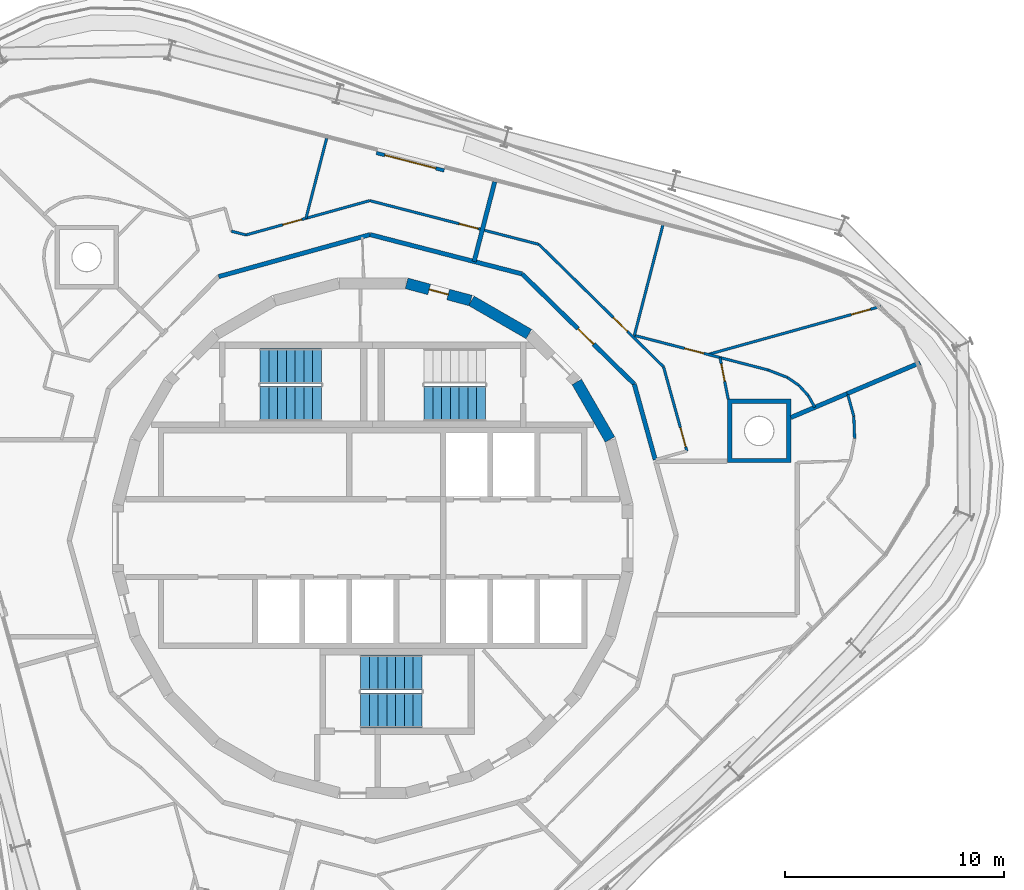
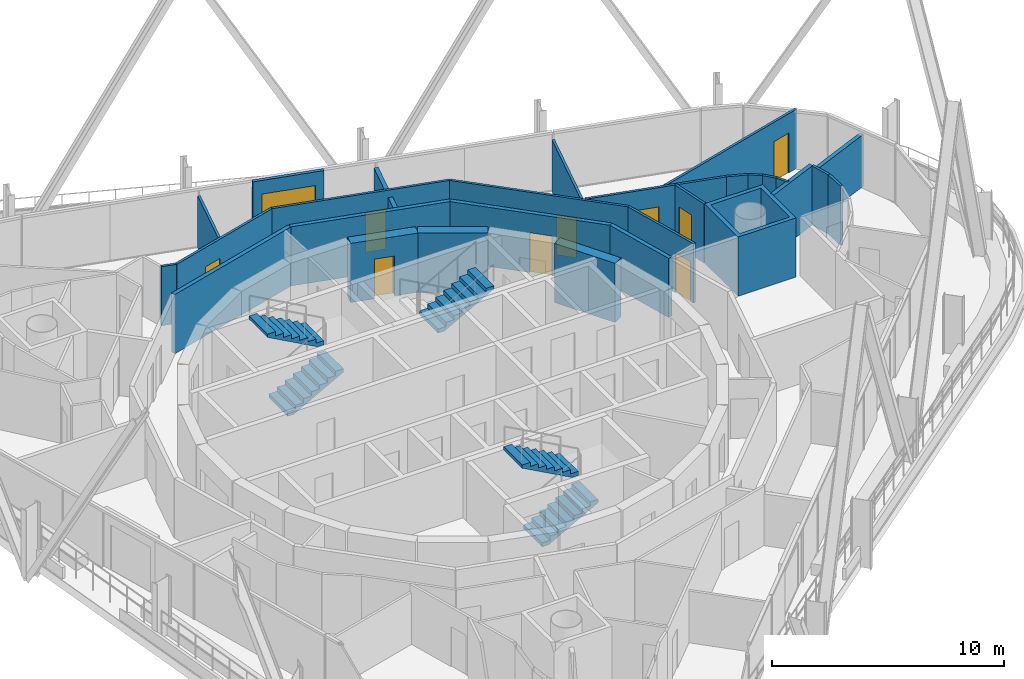
# One storey, part 14 of 18: 28 walls, 10 doors, 5 stair flights, 10 openings, 3 elements without a shape of their own.
"""IFC4 building model written with IfcOpenShell, lengths in metres."""

from ifc_helpers import new_model, si_unit, direction, frame, frame_2d, origin, place, context, subcontext, project, spatial, polyline, rectangle, outline, extrude, material, layer, layer_set, type_object, element, fill, aggregate, save


model = new_model("IFC4")

# Units and contexts
model_context = context("Model", 3, precision=1e-05, world=origin(), true_north=direction((0.0, 1.0)))
body_context = subcontext(model_context, "Body", "Model", "MODEL_VIEW")
ifc_project = project(units=[si_unit("LENGTHUNIT", "METRE"), si_unit("AREAUNIT", "SQUARE_METRE"), si_unit("VOLUMEUNIT", "CUBIC_METRE"), si_unit("PLANEANGLEUNIT", "RADIAN"), si_unit("MASSUNIT", "GRAM", prefix="KILO")], contexts=[model_context])

# Site, building, storey
site_placement = place(None, origin())
site = spatial("IfcSite", under=ifc_project, at=site_placement, CompositionType="ELEMENT")
building_placement = place(site_placement, origin())
building = spatial("IfcBuilding", under=site, at=building_placement, Name="Spindle Arch Residences", CompositionType="ELEMENT")
storey_placement = place(building_placement, frame((0.0, 0.0, 298.199951171875)))
storey = spatial("IfcBuildingStorey", under=building, at=storey_placement, Name="L76", CompositionType="ELEMENT", Elevation=298.199951171875)

# Walls
ifc_material_1 = material(Name="Concrete C50/60", Category="concrete")
ifc_layer_1 = layer(ifc_material_1, 0.5)
ifc_layer_set_1 = layer_set([ifc_layer_1], Name="Core outline wall 500")
wall_type_1 = type_object("IfcWallType", Name="Core outline wall 500", PredefinedType="SHEAR", material=ifc_layer_set_1)
for number, where, z_axis, x_axis, name in (
    (1, (10.84521484375, 4.510498046875, 0.0), (0.0, 0.0, 1.0), (-0.500087131594, 0.865975092491, 0.0), "Core outline wall 8"),
    (2, (7.13671875, 9.32861328125, 0.0), (0.0, 0.0, 1.0), (-0.865975092491, 0.500087131594, 0.0), "Core outline wall 10"),
):
    element("IfcWall", number, at=place(storey_placement, frame(where, z_axis=z_axis, x_axis=x_axis)), inside=storey, type_object=wall_type_1, Name=name, PredefinedType="SHEAR", context=body_context, shape_type="SweptSolid", body=[
        extrude(rectangle(XDim=3.03271484375, YDim=0.5, at=frame_2d((1.516357421875, 0.0))), origin(), (0.0, 0.0, 1.0), 3.1201171875),
    ])

# Wall, opening, door
wall_1_placement = place(storey_placement, frame((4.479248046875, 10.858154296875, 0.0), z_axis=(0.0, 0.0, 1.0), x_axis=(-0.965948410781, 0.258734743916, 0.0)))
wall_1 = element("IfcWall", 3, at=wall_1_placement, inside=storey, type_object=wall_type_1, Name="Core outline wall 11", PredefinedType="SHEAR", context=body_context, shape_type="SweptSolid", body=[
    extrude(rectangle(XDim=3.03271484375, YDim=0.5, at=frame_2d((1.516357421875, 0.0))), origin(), (0.0, 0.0, 1.0), 3.1201171875),
])
opening_1_placement = place(wall_1_placement, frame((1.066162109375, 0.0, 0.0)))
opening_1 = element("IfcOpeningElement", 4, at=opening_1_placement, cuts=wall_1, Name="Opening R8A0-WD11", PredefinedType="OPENING", context=body_context, shape_type="SweptSolid", body=[
    extrude(rectangle(XDim=0.89990234375, YDim=2.10009765625, at=frame_2d((0.449951171875, 1.050048828125))), frame((0.0, 0.260009765625, 0.0), z_axis=(0.0, -1.0, 0.0), x_axis=(1.0, 0.0, 0.0)), (0.0, 0.0, 1.0), 0.52001953125),
])
ifc_material_2 = material(Name="Steel, fire-resisting door", Category="steel")
door_type_1 = type_object("IfcDoorType", Name="Service room door 900x2100", OperationType="SINGLE_SWING_LEFT", PredefinedType="DOOR", material=ifc_material_2)
door_1_placement = place(opening_1_placement, origin())
door_1 = element("IfcDoor", 5, at=door_1_placement, inside=storey, type_object=door_type_1, Name="Service room door R8A0-WD11", OperationType="SINGLE_SWING_LEFT", OverallHeight=2.10009765625, OverallWidth=0.89990234375, PredefinedType="DOOR", context=body_context, shape_type="SweptSolid", body=[
    extrude(rectangle(XDim=0.89990234375, YDim=2.10009765625, at=frame_2d((0.449951171875, 1.050048828125))), frame((0.0, 0.02490234375, 0.0), z_axis=(0.0, -1.0, 0.0), x_axis=(1.0, 0.0, 0.0)), (0.0, 0.0, 1.0), 0.050048828125),
])
fill(opening_1, door_1)

# Wall
ifc_material_3 = material(Name="Calcium silicate block, plastered")
ifc_layer_2 = layer(ifc_material_3, 0.199951171875)
ifc_layer_set_2 = layer_set([ifc_layer_2], Name="Corridor wall 200")
wall_type_2 = type_object("IfcWallType", Name="Corridor wall 200", PredefinedType="STANDARD", material=ifc_layer_set_2)
wall_2_placement = place(storey_placement, frame((12.91259765625, 3.5810546875, 0.0), z_axis=(0.0, 0.0, 1.0), x_axis=(-0.267223005422, 0.963634715737, 0.0)))
element("IfcWall", 6, at=wall_2_placement, inside=storey, type_object=wall_type_2, Name="Corridor wall R8A0-W006", PredefinedType="STANDARD", context=body_context, shape_type="SweptSolid", body=[
    extrude(rectangle(XDim=3.590576171875, YDim=0.199951171875, at=frame_2d((1.79541015625, 0.0))), origin(), (0.0, 0.0, 1.0), 3.1201171875),
])

# Wall, opening, door
wall_3_placement = place(storey_placement, frame((11.953125, 7.041015625, 0.0), z_axis=(0.0, 0.0, 1.0), x_axis=(-0.713250549143, 0.70090916255, 0.0)))
wall_3 = element("IfcWall", 7, at=wall_3_placement, inside=storey, type_object=wall_type_2, Name="Corridor wall R8A0-W007", PredefinedType="STANDARD", context=body_context, shape_type="SweptSolid", body=[
    extrude(rectangle(XDim=7.180908203125, YDim=0.199951171875, at=frame_2d((3.59033203125, 0.0))), origin(), (0.0, 0.0, 1.0), 3.1201171875),
])
opening_2_placement = place(wall_3_placement, frame((2.60009765625, 0.0, 0.0)))
opening_2 = element("IfcOpeningElement", 8, at=opening_2_placement, cuts=wall_3, Name="Opening R8A0-FD01", PredefinedType="OPENING", context=body_context, shape_type="SweptSolid", body=[
    extrude(rectangle(XDim=1.0, YDim=2.10009765625, at=frame_2d((0.5, 1.050048828125))), frame((0.0, 0.10986328125, 0.0), z_axis=(0.0, -1.0, 0.0), x_axis=(1.0, 0.0, 0.0)), (0.0, 0.0, 1.0), 0.219970703125),
])
ifc_material_4 = material(Name="Timber, fire-resisting door set", Category="wood")
door_type_2 = type_object("IfcDoorType", Name="Flat entrance door 1000x2100", OperationType="NOTDEFINED", PredefinedType="DOOR", material=ifc_material_4)
door_2_placement = place(opening_2_placement, origin())
door_2 = element("IfcDoor", 9, at=door_2_placement, inside=storey, type_object=door_type_2, Name="Flat entrance door R8A0-FD01", OperationType="SINGLE_SWING_LEFT", OverallHeight=2.10009765625, OverallWidth=1.0, PredefinedType="DOOR", context=body_context, shape_type="SweptSolid", body=[
    extrude(rectangle(XDim=1.0, YDim=2.10009765625, at=frame_2d((0.5, 1.050048828125))), frame((0.0, 0.02490234375, 0.0), z_axis=(0.0, -1.0, 0.0), x_axis=(1.0, 0.0, 0.0)), (0.0, 0.0, 1.0), 0.050048828125),
])
fill(opening_2, door_2)

# Walls
for number, where, z_axis, x_axis, name in (
    (10, (6.831298828125, 12.07421875, 0.0), (0.0, 0.0, 1.0), (-0.968144780225, 0.250391063186, 0.0), "Corridor wall R8A0-W008"),
    (11, (-0.12109375, 13.872314453125, 0.0), (0.0, 0.0, 1.0), (-0.963625960674, -0.267254575108, 0.0), "Corridor wall R8A0-W009"),
):
    element("IfcWall", number, at=place(storey_placement, frame(where, z_axis=z_axis, x_axis=x_axis)), inside=storey, type_object=wall_type_2, Name=name, PredefinedType="STANDARD", context=body_context, shape_type="SweptSolid", body=[
        extrude(rectangle(XDim=7.18115234375, YDim=0.199951171875, at=frame_2d((3.590576171875, 0.0))), origin(), (0.0, 0.0, 1.0), 3.1201171875),
    ])

# Wall, opening, door
ifc_material_5 = material(Name="Plasterboard on steel studs", Category="steel")
ifc_layer_3 = layer(ifc_material_5, 0.1201171875)
ifc_layer_set_3 = layer_set([ifc_layer_3], Name="Flat partition 120")
wall_type_3 = type_object("IfcWallType", Name="Flat partition 120", PredefinedType="PARTITIONING", material=ifc_layer_set_3)
wall_4_placement = place(storey_placement, frame((14.358154296875, 3.98193359375, 0.0), z_axis=(0.0, 0.0, 1.0), x_axis=(-0.267233823916, 0.963631715623, 0.0)))
wall_4 = element("IfcWall", 12, at=wall_4_placement, inside=storey, type_object=wall_type_3, Name="Flat partition R8A0-W033", PredefinedType="PARTITIONING", context=body_context, shape_type="SweptSolid", body=[
    extrude(rectangle(XDim=3.992431640625, YDim=0.1201171875, at=frame_2d((1.99609375, 0.0))), origin(), (0.0, 0.0, 1.0), 3.1201171875),
])
opening_3_placement = place(wall_4_placement, frame((0.199951171875, 0.0, 0.0)))
opening_3 = element("IfcOpeningElement", 13, at=opening_3_placement, cuts=wall_4, Name="Opening R8A0-ID01", PredefinedType="OPENING", context=body_context, shape_type="SweptSolid", body=[
    extrude(rectangle(XDim=0.89990234375, YDim=2.10009765625, at=frame_2d((0.449951171875, 1.050048828125))), frame((0.0, 0.070068359375, 0.0), z_axis=(0.0, -1.0, 0.0), x_axis=(1.0, 0.0, 0.0)), (0.0, 0.0, 1.0), 0.14013671875),
])
ifc_material_6 = material(Name="Timber door set", Category="wood")
door_type_3 = type_object("IfcDoorType", Name="Room door 900x2100", OperationType="NOTDEFINED", PredefinedType="DOOR", material=ifc_material_6)
door_3_placement = place(opening_3_placement, origin())
door_3 = element("IfcDoor", 14, at=door_3_placement, inside=storey, type_object=door_type_3, Name="Room door R8A0-ID01", OperationType="SINGLE_SWING_LEFT", OverallHeight=2.10009765625, OverallWidth=0.89990234375, PredefinedType="DOOR", context=body_context, shape_type="SweptSolid", body=[
    extrude(rectangle(XDim=0.89990234375, YDim=2.10009765625, at=frame_2d((0.449951171875, 1.050048828125))), frame((0.0, 0.02490234375, 0.0), z_axis=(0.0, -1.0, 0.0), x_axis=(1.0, 0.0, 0.0)), (0.0, 0.0, 1.0), 0.050048828125),
])
fill(opening_3, door_3)

wall_5_placement = place(storey_placement, frame((13.291259765625, 7.8291015625, 0.0), z_axis=(0.0, 0.0, 1.0), x_axis=(-0.713255978622, 0.700903637428, 0.0)))
wall_5 = element("IfcWall", 15, at=wall_5_placement, inside=storey, type_object=wall_type_3, Name="Flat partition R8A0-W034", PredefinedType="PARTITIONING", context=body_context, shape_type="SweptSolid", body=[
    extrude(rectangle(XDim=7.98486328125, YDim=0.1201171875, at=frame_2d((3.992431640625, 0.0))), origin(), (0.0, 0.0, 1.0), 3.1201171875),
])
opening_4_placement = place(wall_5_placement, frame((2.314208984375, 0.0, 0.0)))
opening_4 = element("IfcOpeningElement", 16, at=opening_4_placement, cuts=wall_5, Name="Opening R8A0-ID02", PredefinedType="OPENING", context=body_context, shape_type="SweptSolid", body=[
    extrude(rectangle(XDim=0.89990234375, YDim=2.10009765625, at=frame_2d((0.449951171875, 1.050048828125))), frame((0.0, 0.070068359375, 0.0), z_axis=(0.0, -1.0, 0.0), x_axis=(1.0, 0.0, 0.0)), (0.0, 0.0, 1.0), 0.14013671875),
])
door_4_placement = place(opening_4_placement, origin())
door_4 = element("IfcDoor", 17, at=door_4_placement, inside=storey, type_object=door_type_3, Name="Room door R8A0-ID02", OperationType="SINGLE_SWING_LEFT", OverallHeight=2.10009765625, OverallWidth=0.89990234375, PredefinedType="DOOR", context=body_context, shape_type="SweptSolid", body=[
    extrude(rectangle(XDim=0.89990234375, YDim=2.10009765625, at=frame_2d((0.449951171875, 1.050048828125))), frame((0.0, 0.02490234375, 0.0), z_axis=(0.0, -1.0, 0.0), x_axis=(1.0, 0.0, 0.0)), (0.0, 0.0, 1.0), 0.050048828125),
])
fill(opening_4, door_4)

wall_6_placement = place(storey_placement, frame((7.595947265625, 13.42578125, 0.0), z_axis=(0.0, 0.0, 1.0), x_axis=(-0.968146656033, 0.250383810203, 0.0)))
wall_6 = element("IfcWall", 18, at=wall_6_placement, inside=storey, type_object=wall_type_3, Name="Flat partition R8A0-W035", PredefinedType="PARTITIONING", context=body_context, shape_type="SweptSolid", body=[
    extrude(rectangle(XDim=7.98486328125, YDim=0.1201171875, at=frame_2d((3.992431640625, 0.0))), origin(), (0.0, 0.0, 1.0), 3.1201171875),
])
opening_5_placement = place(wall_6_placement, frame((2.869873046875, 0.0, 0.0)))
opening_5 = element("IfcOpeningElement", 19, at=opening_5_placement, cuts=wall_6, Name="Opening R8A0-ID05", PredefinedType="OPENING", context=body_context, shape_type="SweptSolid", body=[
    extrude(rectangle(XDim=0.89990234375, YDim=2.10009765625, at=frame_2d((0.449951171875, 1.050048828125))), frame((0.0, 0.070068359375, 0.0), z_axis=(0.0, -1.0, 0.0), x_axis=(1.0, 0.0, 0.0)), (0.0, 0.0, 1.0), 0.14013671875),
])
door_5_placement = place(opening_5_placement, origin())
door_5 = element("IfcDoor", 20, at=door_5_placement, inside=storey, type_object=door_type_3, Name="Room door R8A0-ID05", OperationType="SINGLE_SWING_LEFT", OverallHeight=2.10009765625, OverallWidth=0.89990234375, PredefinedType="DOOR", context=body_context, shape_type="SweptSolid", body=[
    extrude(rectangle(XDim=0.89990234375, YDim=2.10009765625, at=frame_2d((0.449951171875, 1.050048828125))), frame((0.0, 0.02490234375, 0.0), z_axis=(0.0, -1.0, 0.0), x_axis=(1.0, 0.0, 0.0)), (0.0, 0.0, 1.0), 0.050048828125),
])
fill(opening_5, door_5)

# Walls
wall_7_placement = place(storey_placement, frame((20.203369140625, 5.976806640625, 0.0), z_axis=(0.0, 0.0, 1.0), x_axis=(-0.482261544721, 0.876027284098, 0.0)))
element("IfcWall", 21, at=wall_7_placement, inside=storey, type_object=wall_type_3, Name="Flat partition R8A0-W036", PredefinedType="PARTITIONING", context=body_context, shape_type="SweptSolid", body=[
    extrude(rectangle(XDim=0.601318359375, YDim=0.1201171875, at=frame_2d((0.30078125, 0.0))), origin(), (0.0, 0.0, 1.0), 3.1201171875),
])
for number, where, z_axis, x_axis, name in (
    (22, (19.913330078125, 6.503662109375, 0.0), (0.0, 0.0, 1.0), (-0.671251836621, 0.741229365198, 0.0), "Flat partition R8A0-W037"),
    (23, (19.482421875, 6.9794921875, 0.0), (0.0, 0.0, 1.0), (-0.82418616252, 0.566318964463, 0.0), "Flat partition R8A0-W038"),
):
    element("IfcWall", number, at=place(storey_placement, frame(where, z_axis=z_axis, x_axis=x_axis)), inside=storey, type_object=wall_type_3, Name=name, PredefinedType="PARTITIONING", context=body_context, shape_type="SweptSolid", body=[
        extrude(rectangle(XDim=0.641845703125, YDim=0.1201171875, at=frame_2d((0.32080078125, 0.0))), origin(), (0.0, 0.0, 1.0), 3.1201171875),
    ])
wall_8_placement = place(storey_placement, frame((18.953369140625, 7.343017578125, 0.0), z_axis=(0.0, 0.0, 1.0), x_axis=(-0.932458839957, 0.361276226433, 0.0)))
element("IfcWall", 24, at=wall_8_placement, inside=storey, type_object=wall_type_3, Name="Flat partition R8A0-W039", PredefinedType="PARTITIONING", context=body_context, shape_type="SweptSolid", body=[
    extrude(rectangle(XDim=0.94677734375, YDim=0.1201171875, at=frame_2d((0.473388671875, 0.0))), origin(), (0.0, 0.0, 1.0), 3.1201171875),
])

# Wall, opening, door
wall_9_placement = place(storey_placement, frame((18.070556640625, 7.68505859375, 0.0), z_axis=(0.0, 0.0, 1.0), x_axis=(-0.968152245082, 0.250362198309, 0.0)))
wall_9 = element("IfcWall", 25, at=wall_9_placement, inside=storey, type_object=wall_type_3, Name="Flat partition R8A0-W040", PredefinedType="PARTITIONING", context=body_context, shape_type="SweptSolid", body=[
    extrude(rectangle(XDim=6.313232421875, YDim=0.1201171875, at=frame_2d((3.15673828125, 0.0))), origin(), (0.0, 0.0, 1.0), 3.1201171875),
])
opening_6_placement = place(wall_9_placement, frame((3.035888671875, 0.0, 0.0)))
opening_6 = element("IfcOpeningElement", 26, at=opening_6_placement, cuts=wall_9, Name="Opening R8A0-ID03", PredefinedType="OPENING", context=body_context, shape_type="SweptSolid", body=[
    extrude(rectangle(XDim=0.89990234375, YDim=2.10009765625, at=frame_2d((0.449951171875, 1.050048828125))), frame((0.0, 0.070068359375, 0.0), z_axis=(0.0, -1.0, 0.0), x_axis=(1.0, 0.0, 0.0)), (0.0, 0.0, 1.0), 0.14013671875),
])
door_6_placement = place(opening_6_placement, origin())
door_6 = element("IfcDoor", 27, at=door_6_placement, inside=storey, type_object=door_type_3, Name="Room door R8A0-ID03", OperationType="SINGLE_SWING_LEFT", OverallHeight=2.10009765625, OverallWidth=0.89990234375, PredefinedType="DOOR", context=body_context, shape_type="SweptSolid", body=[
    extrude(rectangle(XDim=0.89990234375, YDim=2.10009765625, at=frame_2d((0.449951171875, 1.050048828125))), frame((0.0, 0.02490234375, 0.0), z_axis=(0.0, -1.0, 0.0), x_axis=(1.0, 0.0, 0.0)), (0.0, 0.0, 1.0), 0.050048828125),
])
fill(opening_6, door_6)

wall_10_placement = place(storey_placement, frame((15.873046875, 8.253173828125, 0.0), z_axis=(0.0, 0.0, 1.0), x_axis=(0.19340687816, -0.981118636802, 0.0)))
wall_10 = element("IfcWall", 28, at=wall_10_placement, inside=storey, type_object=wall_type_3, Name="Flat partition R8A0-W041", PredefinedType="PARTITIONING", context=body_context, shape_type="SweptSolid", body=[
    extrude(rectangle(XDim=1.94140625, YDim=0.1201171875, at=frame_2d((0.970703125, 0.0))), origin(), (0.0, 0.0, 1.0), 3.1201171875),
])
opening_7_placement = place(wall_10_placement, frame((0.300048828125, 0.0, 0.0)))
opening_7 = element("IfcOpeningElement", 29, at=opening_7_placement, cuts=wall_10, Name="Opening R8A0-BD01", PredefinedType="OPENING", context=body_context, shape_type="SweptSolid", body=[
    extrude(rectangle(XDim=0.800048828125, YDim=2.10009765625, at=frame_2d((0.39990234375, 1.050048828125))), frame((0.0, 0.070068359375, 0.0), z_axis=(0.0, -1.0, 0.0), x_axis=(1.0, 0.0, 0.0)), (0.0, 0.0, 1.0), 0.14013671875),
])
ifc_material_7 = material(Name="Timber door set", Category="wood")
door_type_4 = type_object("IfcDoorType", Name="Bathroom door 800x2100", OperationType="NOTDEFINED", PredefinedType="DOOR", material=ifc_material_7)
door_7_placement = place(opening_7_placement, origin())
door_7 = element("IfcDoor", 30, at=door_7_placement, inside=storey, type_object=door_type_4, Name="Bathroom door R8A0-BD01", OperationType="SINGLE_SWING_LEFT", OverallHeight=2.10009765625, OverallWidth=0.800048828125, PredefinedType="DOOR", context=body_context, shape_type="SweptSolid", body=[
    extrude(rectangle(XDim=0.800048828125, YDim=2.10009765625, at=frame_2d((0.39990234375, 1.050048828125))), frame((0.0, 0.02490234375, 0.0), z_axis=(0.0, -1.0, 0.0), x_axis=(1.0, 0.0, 0.0)), (0.0, 0.0, 1.0), 0.050048828125),
])
fill(opening_7, door_7)

wall_11_placement = place(storey_placement, frame((23.225341796875, 10.593017578125, 0.0), z_axis=(0.0, 0.0, 1.0), x_axis=(-0.963409492722, -0.268033858559, 0.0)))
wall_11 = element("IfcWall", 31, at=wall_11_placement, inside=storey, type_object=wall_type_3, Name="Flat partition R8A0-W042", PredefinedType="PARTITIONING", context=body_context, shape_type="SweptSolid", body=[
    extrude(rectangle(XDim=8.200439453125, YDim=0.1201171875, at=frame_2d((4.10009765625, 0.0))), origin(), (0.0, 0.0, 1.0), 3.1201171875),
])
opening_8_placement = place(wall_11_placement, frame((0.5, 0.0, 0.0)))
opening_8 = element("IfcOpeningElement", 32, at=opening_8_placement, cuts=wall_11, Name="Opening R8A0-ID04", PredefinedType="OPENING", context=body_context, shape_type="SweptSolid", body=[
    extrude(rectangle(XDim=0.89990234375, YDim=2.10009765625, at=frame_2d((0.449951171875, 1.050048828125))), frame((0.0, 0.070068359375, 0.0), z_axis=(0.0, -1.0, 0.0), x_axis=(1.0, 0.0, 0.0)), (0.0, 0.0, 1.0), 0.14013671875),
])
door_8_placement = place(opening_8_placement, origin())
door_8 = element("IfcDoor", 33, at=door_8_placement, inside=storey, type_object=door_type_3, Name="Room door R8A0-ID04", OperationType="SINGLE_SWING_LEFT", OverallHeight=2.10009765625, OverallWidth=0.89990234375, PredefinedType="DOOR", context=body_context, shape_type="SweptSolid", body=[
    extrude(rectangle(XDim=0.89990234375, YDim=2.10009765625, at=frame_2d((0.449951171875, 1.050048828125))), frame((0.0, 0.02490234375, 0.0), z_axis=(0.0, -1.0, 0.0), x_axis=(1.0, 0.0, 0.0)), (0.0, 0.0, 1.0), 0.050048828125),
])
fill(opening_8, door_8)

wall_12_placement = place(storey_placement, frame((-0.134521484375, 15.425048828125, 0.0), z_axis=(0.0, 0.0, 1.0), x_axis=(-0.963635182689, -0.267221321536, 0.0)))
wall_12 = element("IfcWall", 34, at=wall_12_placement, inside=storey, type_object=wall_type_3, Name="Flat partition R8A0-W044", PredefinedType="PARTITIONING", context=body_context, shape_type="SweptSolid", body=[
    extrude(rectangle(XDim=5.870849609375, YDim=0.1201171875, at=frame_2d((2.935546875, 0.0))), origin(), (0.0, 0.0, 1.0), 3.1201171875),
])
opening_9_placement = place(wall_12_placement, frame((3.225341796875, 0.0, 0.0)))
opening_9 = element("IfcOpeningElement", 35, at=opening_9_placement, cuts=wall_12, Name="Opening R8A0-ID06", PredefinedType="OPENING", context=body_context, shape_type="SweptSolid", body=[
    extrude(rectangle(XDim=0.89990234375, YDim=2.10009765625, at=frame_2d((0.449951171875, 1.050048828125))), frame((0.0, 0.070068359375, 0.0), z_axis=(0.0, -1.0, 0.0), x_axis=(1.0, 0.0, 0.0)), (0.0, 0.0, 1.0), 0.14013671875),
])
door_9_placement = place(opening_9_placement, origin())
door_9 = element("IfcDoor", 36, at=door_9_placement, inside=storey, type_object=door_type_3, Name="Room door R8A0-ID06", OperationType="SINGLE_SWING_RIGHT", OverallHeight=2.10009765625, OverallWidth=0.89990234375, PredefinedType="DOOR", context=body_context, shape_type="SweptSolid", body=[
    extrude(rectangle(XDim=0.89990234375, YDim=2.10009765625, at=frame_2d((0.449951171875, 1.050048828125))), frame((0.0, 0.02490234375, 0.0), z_axis=(0.0, -1.0, 0.0), x_axis=(1.0, 0.0, 0.0)), (0.0, 0.0, 1.0), 0.050048828125),
])
fill(opening_9, door_9)

# Walls
wall_13_placement = place(storey_placement, frame((-5.7919921875, 13.856201171875, 0.0), z_axis=(0.0, 0.0, 1.0), x_axis=(-0.968137965662, 0.250417410425, 0.0)))
element("IfcWall", 37, at=wall_13_placement, inside=storey, type_object=wall_type_3, Name="Flat partition R8A0-W045", PredefinedType="PARTITIONING", context=body_context, shape_type="SweptSolid", body=[
    extrude(rectangle(XDim=0.684326171875, YDim=0.1201171875, at=frame_2d((0.34228515625, 0.0))), origin(), (0.0, 0.0, 1.0), 3.1201171875),
])
for number, where, z_axis, x_axis, name in (
    (38, (21.714599609375, 6.549072265625, 0.0), (0.0, 0.0, 1.0), (0.267222438577, -0.963634872927, 0.0), "Flat partition R8A0-W105"),
    (39, (21.986083984375, 5.570068359375, 0.0), (0.0, 0.0, 1.0), (0.037971633756, -0.999278817463, 0.0), "Flat partition R8A0-W106"),
):
    element("IfcWall", number, at=place(storey_placement, frame(where, z_axis=z_axis, x_axis=x_axis)), inside=storey, type_object=wall_type_3, Name=name, PredefinedType="PARTITIONING", context=body_context, shape_type="SweptSolid", body=[
        extrude(rectangle(XDim=1.015869140625, YDim=0.1201171875, at=frame_2d((0.5078125, 0.0))), origin(), (0.0, 0.0, 1.0), 3.1201171875),
    ])
ifc_material_8 = material(Name="Plasterboard on steel studs", Category="steel")
ifc_layer_4 = layer(ifc_material_8, 0.1201171875)
ifc_layer_set_4 = layer_set([ifc_layer_4], Name="Flat partition 120 under beam 2730")
wall_type_4 = type_object("IfcWallType", Name="Flat partition 120 under beam 2730", PredefinedType="PARTITIONING", material=ifc_layer_set_4)
wall_14_placement = place(storey_placement, frame((13.260498046875, 14.300048828125, 0.0), z_axis=(0.0, 0.0, 1.0), x_axis=(-0.25038206324, -0.968147107834, 0.0)))
element("IfcWall", 40, at=wall_14_placement, inside=storey, type_object=wall_type_4, Name="Flat partition R8A0-W043", PredefinedType="PARTITIONING", context=body_context, shape_type="SweptSolid", body=[
    extrude(rectangle(XDim=5.199951171875, YDim=0.1201171875, at=frame_2d((2.60009765625, 0.0))), origin(), (0.0, 0.0, 1.0), 2.72998046875),
])
wall_15_placement = place(storey_placement, frame((-2.104248046875, 18.2734375, 0.0), z_axis=(0.0, 0.0, 1.0), x_axis=(-0.250390133523, -0.968145020663, 0.0)))
element("IfcWall", 41, at=wall_15_placement, inside=storey, type_object=wall_type_4, Name="Flat partition R8A0-W050", PredefinedType="PARTITIONING", context=body_context, shape_type="SweptSolid", body=[
    extrude(rectangle(XDim=3.77734375, YDim=0.1201171875, at=frame_2d((1.888671875, 0.0))), origin(), (0.0, 0.0, 1.0), 2.72998046875),
])
ifc_material_9 = material(Name="Calcium silicate block, plastered")
ifc_layer_5 = layer(ifc_material_9, 0.199951171875)
ifc_layer_set_5 = layer_set([ifc_layer_5], Name="Flat party wall 200")
wall_type_5 = type_object("IfcWallType", Name="Flat party wall 200", PredefinedType="STANDARD", material=ifc_layer_set_5)
wall_16_placement = place(storey_placement, frame((19.112548828125, 5.513916015625, 0.0), z_axis=(0.0, 0.0, 1.0), x_axis=(0.92047794988, 0.390794503268, 0.0)))
element("IfcWall", 42, at=wall_16_placement, inside=storey, type_object=wall_type_5, Name="Flat party wall R8A0-W024", PredefinedType="STANDARD", context=body_context, shape_type="SweptSolid", body=[
    extrude(rectangle(XDim=2.793212890625, YDim=0.199951171875, at=frame_2d((1.396484375, 0.0))), origin(), (0.0, 0.0, 1.0), 3.1201171875),
])
ifc_material_10 = material(Name="Calcium silicate block, plastered")
ifc_layer_6 = layer(ifc_material_10, 0.199951171875)
ifc_layer_set_6 = layer_set([ifc_layer_6], Name="Flat party wall 200 under beam 2730")
wall_type_6 = type_object("IfcWallType", Name="Flat party wall 200 under beam 2730", PredefinedType="STANDARD", material=ifc_layer_set_6)
wall_17_placement = place(storey_placement, frame((5.578125, 16.286865234375, 0.0), z_axis=(0.0, 0.0, 1.0), x_axis=(-0.250385965992, -0.968146098497, 0.0)))
element("IfcWall", 43, at=wall_17_placement, inside=storey, type_object=wall_type_6, Name="Flat party wall R8A0-W023", PredefinedType="STANDARD", context=body_context, shape_type="SweptSolid", body=[
    extrude(rectangle(XDim=3.7646484375, YDim=0.199951171875, at=frame_2d((1.88232421875, 0.0))), origin(), (0.0, 0.0, 1.0), 2.72998046875),
])
wall_18_placement = place(storey_placement, frame((21.68359375, 6.60546875, 0.0), z_axis=(0.0, 0.0, 1.0), x_axis=(0.920517820403, 0.390700578859, 0.0)))
element("IfcWall", 44, at=wall_18_placement, inside=storey, type_object=wall_type_6, Name="Flat party wall R8A0-W025", PredefinedType="STANDARD", context=body_context, shape_type="SweptSolid", body=[
    extrude(rectangle(XDim=3.61865234375, YDim=0.199951171875, at=frame_2d((1.809326171875, 0.0))), origin(), (0.0, 0.0, 1.0), 2.72998046875),
])

# Wall, opening, door
ifc_material_11 = material(Name="Non-combustible mineral wool insulated aluminium faced external wall (K0)", Category="aluminium")
ifc_layer_7 = layer(ifc_material_11, 0.159912109375)
ifc_layer_set_7 = layer_set([ifc_layer_7], Name="Insulated external wall panel 160")
wall_type_7 = type_object("IfcWallType", Name="Insulated external wall panel 160", PredefinedType="STANDARD", material=ifc_layer_set_7)
wall_19_placement = place(storey_placement, frame((3.265869140625, 16.802001953125, 0.0), z_axis=(0.0, 0.0, 1.0), x_axis=(-0.968144998439, 0.250390219454, 0.0)))
wall_19 = element("IfcWall", 45, at=wall_19_placement, inside=storey, type_object=wall_type_7, Name="External wall L76 bay 7", PredefinedType="STANDARD", context=body_context, shape_type="SweptSolid", body=[
    extrude(rectangle(XDim=3.2001953125, YDim=0.159912109375, at=frame_2d((1.60009765625, 0.0))), origin(), (0.0, 0.0, 1.0), 3.1201171875),
])
opening_10_placement = place(wall_19_placement, frame((0.39990234375, 0.0, 0.0)))
opening_10 = element("IfcOpeningElement", 46, at=opening_10_placement, cuts=wall_19, Name="Opening BD07", PredefinedType="OPENING", context=body_context, shape_type="SweptSolid", body=[
    extrude(rectangle(XDim=2.39990234375, YDim=2.39990234375, at=frame_2d((1.199951171875, 1.199951171875))), frame((0.0, 0.08984375, 0.0), z_axis=(0.0, -1.0, 0.0), x_axis=(1.0, 0.0, 0.0)), (0.0, 0.0, 1.0), 0.179931640625),
])
ifc_material_12 = material(Name="Bronze aluminium frame, tinted double glazing", Category="aluminium")
door_type_5 = type_object("IfcDoorType", Name="Sliding glazed balcony door 2400x2400", OperationType="DOUBLE_DOOR_SLIDING", PredefinedType="DOOR", material=ifc_material_12)
door_10_placement = place(opening_10_placement, origin())
door_10 = element("IfcDoor", 47, at=door_10_placement, inside=storey, type_object=door_type_5, Name="Balcony door BD07", OperationType="DOUBLE_DOOR_SLIDING", OverallHeight=2.39990234375, OverallWidth=2.39990234375, PredefinedType="DOOR", context=body_context, shape_type="SweptSolid", body=[
    extrude(rectangle(XDim=2.39990234375, YDim=2.39990234375, at=frame_2d((1.199951171875, 1.199951171875))), frame((0.0, 0.02490234375, 0.0), z_axis=(0.0, -1.0, 0.0), x_axis=(1.0, 0.0, 0.0)), (0.0, 0.0, 1.0), 0.050048828125),
])
fill(opening_10, door_10)

# Wall
ifc_material_13 = material(Name="Calcium silicate block, plastered")
ifc_layer_8 = layer(ifc_material_13, 0.199951171875)
ifc_layer_set_8 = layer_set([ifc_layer_8], Name="Mega-column casing wall 200")
wall_type_8 = type_object("IfcWallType", Name="Mega-column casing wall 200", PredefinedType="STANDARD", material=ifc_layer_set_8)
wall_20_placement = place(storey_placement, origin())
element("IfcWall", 48, at=wall_20_placement, inside=storey, type_object=wall_type_8, Name="Mega-column casing wall R8A0-WC01", PredefinedType="STANDARD", context=body_context, shape_type="SweptSolid", body=[
    extrude(outline(polyline([(19.112548828125, 6.348388671875), (19.112548828125, 3.4482421875), (16.212646484375, 3.4482421875), (16.212646484375, 6.348388671875), (19.112548828125, 6.348388671875)]), holes=[polyline([(16.41259765625, 3.648193359375), (18.91259765625, 3.648193359375), (18.91259765625, 6.148193359375), (16.41259765625, 6.148193359375), (16.41259765625, 3.648193359375)])]), origin(), (0.0, 0.0, 1.0), 3.1201171875),
])

# Stair, stair flight
ifc_material_14 = material(Name="Concrete C50/60", Category="concrete")
stair_type = type_object("IfcStairType", Name="Exit stair 16 risers", PredefinedType="HALF_TURN_STAIR", material=ifc_material_14)
stair_1_placement = place(storey_placement, origin())
stair_1 = element("IfcStair", 49, at=stair_1_placement, inside=storey, type_object=stair_type, Name="L76 Exit stair ST1", PredefinedType="HALF_TURN_STAIR")
ifc_material_15 = material(Name="Concrete C50/60", Category="concrete")
stair_flight_type = type_object("IfcStairFlightType", Name="Exit stair flight", PredefinedType="STRAIGHT", material=ifc_material_15)
stair_flight_1_placement = place(storey_placement, frame((2.35009765625, 6.14990234375, 1.75), z_axis=(0.0, 0.0, 1.0), x_axis=(1.0, 0.0, 0.0)))
stair_flight_1 = element("IfcStairFlight", 50, at=stair_flight_1_placement, type_object=stair_flight_type, Name="ST1 flight 2", NumberOfRisers=8, NumberOfTreads=7, PredefinedType="STRAIGHT", RiserHeight=0.21875, TreadLength=0.4, context=body_context, shape_type="SweptSolid", body=[
    extrude(outline(polyline([(0.0, 0.0), (0.0, 0.21875), (0.39990234375, 0.21875), (0.39990234375, 0.4375), (0.800048828125, 0.4375), (0.800048828125, 0.65625), (1.199951171875, 0.65625), (1.199951171875, 0.875), (1.60009765625, 0.875), (1.60009765625, 1.09375), (2.0, 1.09375), (2.0, 1.3125), (2.39990234375, 1.3125), (2.39990234375, 1.53125), (2.800048828125, 1.53125), (2.800048828125, 1.75), (2.800048828125, 1.3603515625), (0.3125, 0.0), (0.0, 0.0)])), frame((0.0, 0.800048828125, 0.0), z_axis=(0.0, -1.0, 0.0), x_axis=(1.0, 0.0, 0.0)), (0.0, 0.0, 1.0), 1.60009765625),
])
aggregate(stair_1, [stair_flight_1])

# Stair, stair flights
stair_2_placement = place(storey_placement, origin())
stair_2 = element("IfcStair", 51, at=stair_2_placement, inside=storey, type_object=stair_type, Name="L76 Exit stair ST2", PredefinedType="HALF_TURN_STAIR")
stair_flight_2_placement = place(storey_placement, frame((-5.14990234375, 6.14990234375, 0.0), z_axis=(0.0, 0.0, 1.0), x_axis=(1.0, 0.0, 0.0)))
stair_flight_2 = element("IfcStairFlight", 52, at=stair_flight_2_placement, type_object=stair_flight_type, Name="ST2 flight 1", NumberOfRisers=8, NumberOfTreads=7, PredefinedType="STRAIGHT", RiserHeight=0.21875, TreadLength=0.4, context=body_context, shape_type="SweptSolid", body=[
    extrude(outline(polyline([(0.0, 0.0), (0.0, 0.21875), (0.39990234375, 0.21875), (0.39990234375, 0.4375), (0.800048828125, 0.4375), (0.800048828125, 0.65625), (1.199951171875, 0.65625), (1.199951171875, 0.875), (1.60009765625, 0.875), (1.60009765625, 1.09375), (2.0, 1.09375), (2.0, 1.3125), (2.39990234375, 1.3125), (2.39990234375, 1.53125), (2.800048828125, 1.53125), (2.800048828125, 1.75), (2.800048828125, 1.3603515625), (0.3125, 0.0), (0.0, 0.0)])), frame((0.0, 0.800048828125, 0.0), z_axis=(0.0, -1.0, 0.0), x_axis=(1.0, 0.0, 0.0)), (0.0, 0.0, 1.0), 1.60009765625),
])
stair_flight_3_placement = place(storey_placement, frame((-2.35009765625, 7.8701171875, 1.75), z_axis=(0.0, 0.0, 1.0), x_axis=(-1.0, 0.0, 0.0)))
stair_flight_3 = element("IfcStairFlight", 53, at=stair_flight_3_placement, type_object=stair_flight_type, Name="ST2 flight 2", NumberOfRisers=8, NumberOfTreads=7, PredefinedType="STRAIGHT", RiserHeight=0.21875, TreadLength=0.4, context=body_context, shape_type="SweptSolid", body=[
    extrude(outline(polyline([(0.0, 0.0), (0.0, 0.21875), (0.39990234375, 0.21875), (0.39990234375, 0.4375), (0.800048828125, 0.4375), (0.800048828125, 0.65625), (1.199951171875, 0.65625), (1.199951171875, 0.875), (1.60009765625, 0.875), (1.60009765625, 1.09375), (2.0, 1.09375), (2.0, 1.3125), (2.39990234375, 1.3125), (2.39990234375, 1.53125), (2.800048828125, 1.53125), (2.800048828125, 1.75), (2.800048828125, 1.3603515625), (0.3125, 0.0), (0.0, 0.0)])), frame((0.0, 0.800048828125, 0.0), z_axis=(0.0, -1.0, 0.0), x_axis=(1.0, 0.0, 0.0)), (0.0, 0.0, 1.0), 1.60009765625),
])
aggregate(stair_2, [stair_flight_2, stair_flight_3])

stair_3_placement = place(storey_placement, origin())
stair_3 = element("IfcStair", 54, at=stair_3_placement, inside=storey, type_object=stair_type, Name="L76 Exit stair ST3", PredefinedType="HALF_TURN_STAIR")
stair_flight_4_placement = place(storey_placement, frame((-0.550048828125, -7.8701171875, 0.0), z_axis=(0.0, 0.0, 1.0), x_axis=(1.0, 0.0, 0.0)))
stair_flight_4 = element("IfcStairFlight", 55, at=stair_flight_4_placement, type_object=stair_flight_type, Name="ST3 flight 1", NumberOfRisers=8, NumberOfTreads=7, PredefinedType="STRAIGHT", RiserHeight=0.21875, TreadLength=0.4, context=body_context, shape_type="SweptSolid", body=[
    extrude(outline(polyline([(0.0, 0.0), (0.0, 0.21875), (0.39990234375, 0.21875), (0.39990234375, 0.4375), (0.800048828125, 0.4375), (0.800048828125, 0.65625), (1.199951171875, 0.65625), (1.199951171875, 0.875), (1.60009765625, 0.875), (1.60009765625, 1.09375), (2.0, 1.09375), (2.0, 1.3125), (2.39990234375, 1.3125), (2.39990234375, 1.53125), (2.800048828125, 1.53125), (2.800048828125, 1.75), (2.800048828125, 1.3603515625), (0.3125, 0.0), (0.0, 0.0)])), frame((0.0, 0.800048828125, 0.0), z_axis=(0.0, -1.0, 0.0), x_axis=(1.0, 0.0, 0.0)), (0.0, 0.0, 1.0), 1.60009765625),
])
stair_flight_5_placement = place(storey_placement, frame((2.25, -6.14990234375, 1.75), z_axis=(0.0, 0.0, 1.0), x_axis=(-1.0, 0.0, 0.0)))
stair_flight_5 = element("IfcStairFlight", 56, at=stair_flight_5_placement, type_object=stair_flight_type, Name="ST3 flight 2", NumberOfRisers=8, NumberOfTreads=7, PredefinedType="STRAIGHT", RiserHeight=0.21875, TreadLength=0.4, context=body_context, shape_type="SweptSolid", body=[
    extrude(outline(polyline([(0.0, 0.0), (0.0, 0.21875), (0.39990234375, 0.21875), (0.39990234375, 0.4375), (0.800048828125, 0.4375), (0.800048828125, 0.65625), (1.199951171875, 0.65625), (1.199951171875, 0.875), (1.60009765625, 0.875), (1.60009765625, 1.09375), (2.0, 1.09375), (2.0, 1.3125), (2.39990234375, 1.3125), (2.39990234375, 1.53125), (2.800048828125, 1.53125), (2.800048828125, 1.75), (2.800048828125, 1.3603515625), (0.3125, 0.0), (0.0, 0.0)])), frame((0.0, 0.800048828125, 0.0), z_axis=(0.0, -1.0, 0.0), x_axis=(1.0, 0.0, 0.0)), (0.0, 0.0, 1.0), 1.60009765625),
])
aggregate(stair_3, [stair_flight_4, stair_flight_5])

save(model, "model.ifc")
